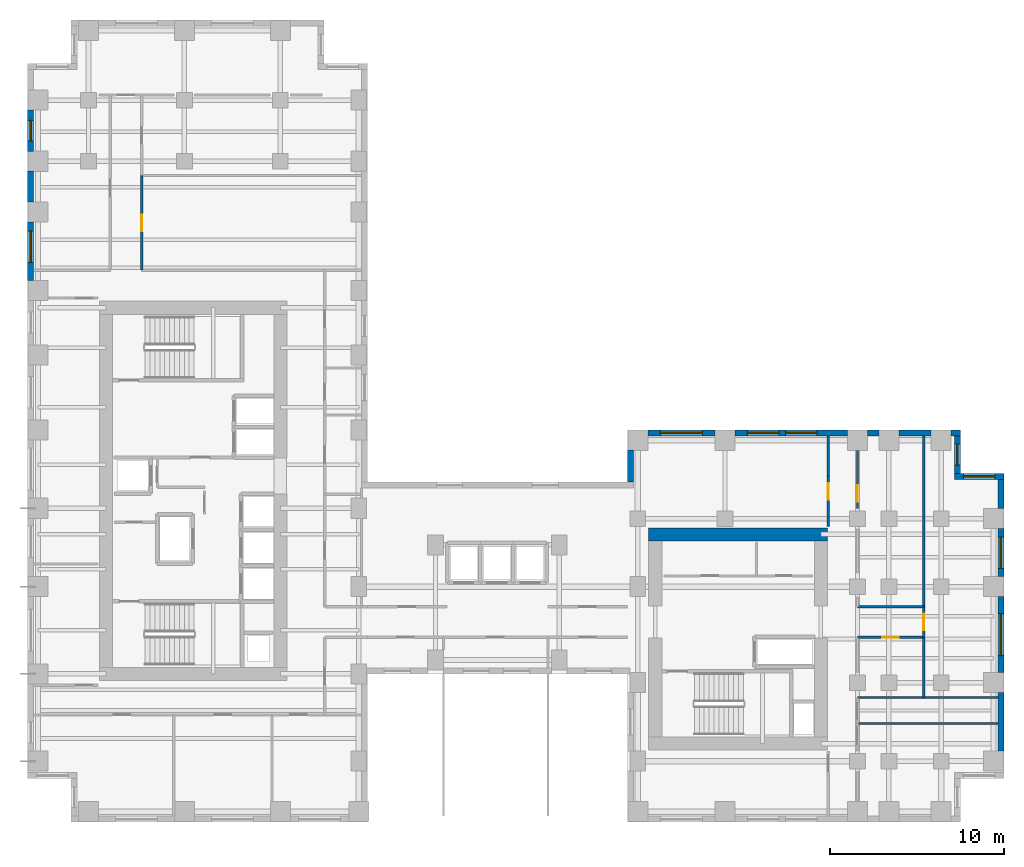
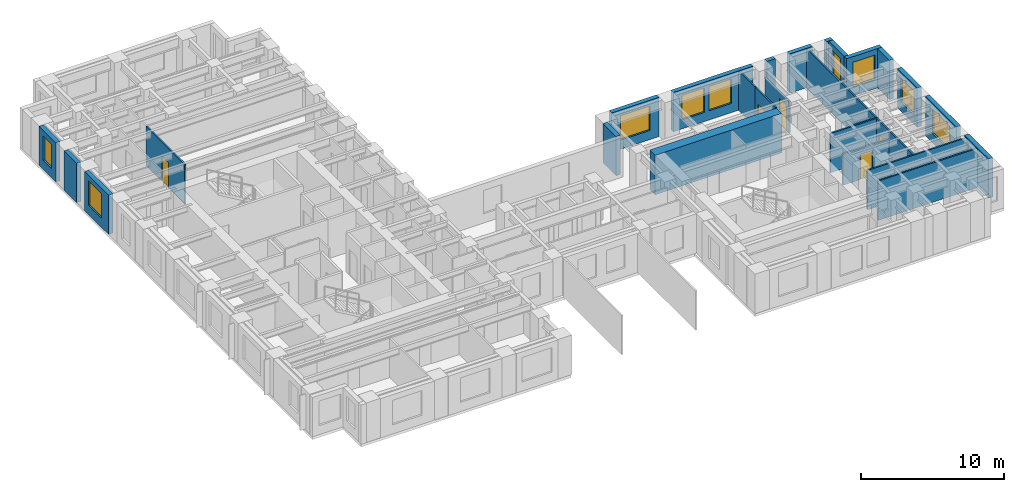
# One storey, part 8 of 11: 27 walls, 9 windows, 5 doors, 14 openings.
"""IFC4 building model written with IfcOpenShell, lengths in metres."""

from ifc_helpers import new_model, si_unit, direction, frame, frame_2d, origin, place, context, subcontext, project, spatial, rectangle, extrude, source, transform, mapped, material, layer, layer_set, type_object, element, fill, save


model = new_model("IFC4")

# Units and contexts
model_context = context("Model", 3, precision=1e-05, world=origin(), true_north=direction((0.0, 1.0)))
body_context = subcontext(model_context, "Body", "Model", "MODEL_VIEW")
ifc_project = project(units=[si_unit("LENGTHUNIT", "METRE"), si_unit("AREAUNIT", "SQUARE_METRE"), si_unit("VOLUMEUNIT", "CUBIC_METRE"), si_unit("PLANEANGLEUNIT", "RADIAN"), si_unit("MASSUNIT", "GRAM", prefix="KILO")], contexts=[model_context])

# Site, building, storey
site_placement = place(None, origin())
site = spatial("IfcSite", under=ifc_project, at=site_placement, CompositionType="ELEMENT")
building_placement = place(site_placement, origin())
building = spatial("IfcBuilding", under=site, at=building_placement, Name="Kharzan Plaza Tower", CompositionType="ELEMENT")
storey_placement = place(building_placement, frame((0.0, 0.0, 120.60009765625)))
storey = spatial("IfcBuildingStorey", under=building, at=storey_placement, Name="L32", CompositionType="ELEMENT", Elevation=120.60009765625)

# Wall, opening, window
ifc_material_1 = material(Name="Concrete C40/50", Category="concrete")
ifc_layer_1 = layer(ifc_material_1, 0.35009765625)
ifc_layer_set_1 = layer_set([ifc_layer_1], Name="Concrete C40/50")
wall_type_1 = type_object("IfcWallType", Name="WL-EXT-MAS-Z2", PredefinedType="SOLIDWALL", material=ifc_layer_set_1)
wall_1_placement = place(storey_placement, frame((0.175048828125, 40.826904296875, 0.0), z_axis=(0.0, 0.0, 1.0), x_axis=(0.0, -1.0, 0.0)))
wall_1 = element("IfcWall", 1, at=wall_1_placement, inside=storey, type_object=wall_type_1, Name="L32 Masonry-Frame Exterior Wall 17", PredefinedType="SOLIDWALL", context=body_context, shape_type="SweptSolid", body=[
    extrude(rectangle(XDim=2.35400390625, YDim=0.35009765625, at=frame_2d((1.177001953125, 0.0))), origin(), (0.0, 0.0, 1.0), 3.364990234375),
])
opening_1_placement = place(wall_1_placement, frame((0.576904296875, 0.0, 0.780029296875)))
opening_1 = element("IfcOpeningElement", 2, at=opening_1_placement, cuts=wall_1, Name="Opening W3", PredefinedType="OPENING", context=body_context, shape_type="SweptSolid", body=[
    extrude(rectangle(XDim=1.199951171875, YDim=2.10009765625, at=frame_2d((0.60009765625, 1.050048828125))), frame((0.0, 0.18505859375, 0.0), z_axis=(0.0, -1.0, 0.0), x_axis=(1.0, 0.0, 0.0)), (0.0, 0.0, 1.0), 0.3701171875),
])
ifc_material_2 = material(Name="Low-E Double Glazing", Category="glass")
window_type_1 = type_object("IfcWindowType", Name="WN-REC-1200x2100", PartitioningType="SINGLE_PANEL", PredefinedType="WINDOW", material=ifc_material_2)
shared_shape_1 = source(origin(), body_context, "Body", "SweptSolid", [
    extrude(rectangle(XDim=1.199951171875, YDim=2.10009765625, at=frame_2d((0.60009765625, 1.050048828125))), frame((0.0, 0.030029296875, 0.0), z_axis=(0.0, -1.0, 0.0), x_axis=(1.0, 0.0, 0.0)), (0.0, 0.0, 1.0), 0.06005859375),
])
window_1_placement = place(opening_1_placement, origin())
window_1 = element("IfcWindow", 3, at=window_1_placement, inside=storey, type_object=window_type_1, Name="L32 Recessed Solar-Control Window 17-1", OverallHeight=2.10009765625, OverallWidth=1.199951171875, PartitioningType="SINGLE_PANEL", PredefinedType="WINDOW", context=body_context, shape_type="MappedRepresentation", body=[
    mapped(shared_shape_1, transform((0.0, 0.0, 0.0), x_axis=(1.0, 0.0, 0.0), y_axis=(0.0, 1.0, 0.0), z_axis=(0.0, 0.0, 1.0))),
])
fill(opening_1, window_1)

wall_2_placement = place(storey_placement, frame((0.175048828125, 34.427001953125, 0.0), z_axis=(0.0, 0.0, 1.0), x_axis=(0.0, -1.0, 0.0)))
wall_2 = element("IfcWall", 4, at=wall_2_placement, inside=storey, type_object=wall_type_1, Name="L32 Masonry-Frame Exterior Wall 19", PredefinedType="SOLIDWALL", context=body_context, shape_type="SweptSolid", body=[
    extrude(rectangle(XDim=3.35400390625, YDim=0.35009765625, at=frame_2d((1.677001953125, 0.0))), origin(), (0.0, 0.0, 1.0), 3.364990234375),
])
opening_2_placement = place(wall_2_placement, frame((0.5234375, 0.0, 0.780029296875)))
opening_2 = element("IfcOpeningElement", 5, at=opening_2_placement, cuts=wall_2, Name="Opening W1", PredefinedType="OPENING", context=body_context, shape_type="SweptSolid", body=[
    extrude(rectangle(XDim=1.800048828125, YDim=2.10009765625, at=frame_2d((0.89990234375, 1.050048828125))), frame((0.0, 0.18505859375, 0.0), z_axis=(0.0, -1.0, 0.0), x_axis=(1.0, 0.0, 0.0)), (0.0, 0.0, 1.0), 0.3701171875),
])
window_type_2 = type_object("IfcWindowType", Name="WN-REC-1800x2100", PartitioningType="SINGLE_PANEL", PredefinedType="WINDOW", material=ifc_material_2)
shared_shape_2 = source(origin(), body_context, "Body", "SweptSolid", [
    extrude(rectangle(XDim=1.800048828125, YDim=2.10009765625, at=frame_2d((0.89990234375, 1.050048828125))), frame((0.0, 0.030029296875, 0.0), z_axis=(0.0, -1.0, 0.0), x_axis=(1.0, 0.0, 0.0)), (0.0, 0.0, 1.0), 0.06005859375),
])
window_2_placement = place(opening_2_placement, origin())
window_2 = element("IfcWindow", 6, at=window_2_placement, inside=storey, type_object=window_type_2, Name="L32 Recessed Solar-Control Window 19-1", OverallHeight=2.10009765625, OverallWidth=1.800048828125, PartitioningType="SINGLE_PANEL", PredefinedType="WINDOW", context=body_context, shape_type="MappedRepresentation", body=[
    mapped(shared_shape_2, transform((0.0, 0.0, 0.0), x_axis=(1.0, 0.0, 0.0), y_axis=(0.0, 1.0, 0.0), z_axis=(0.0, 0.0, 1.0))),
])
fill(opening_2, window_2)

wall_3_placement = place(storey_placement, frame((55.824951171875, 8.572998046875, 0.0), z_axis=(0.0, 0.0, 1.0), x_axis=(0.0, 1.0, 0.0)))
wall_3 = element("IfcWall", 7, at=wall_3_placement, inside=storey, type_object=wall_type_1, Name="L32 Masonry-Frame Exterior Wall 47", PredefinedType="SOLIDWALL", context=body_context, shape_type="SweptSolid", body=[
    extrude(rectangle(XDim=4.35400390625, YDim=0.35009765625, at=frame_2d((2.177001953125, 0.0))), origin(), (0.0, 0.0, 1.0), 3.364990234375),
])
opening_3_placement = place(wall_3_placement, frame((0.97705078125, 0.0, 0.780029296875)))
opening_3 = element("IfcOpeningElement", 8, at=opening_3_placement, cuts=wall_3, Name="Opening W2", PredefinedType="OPENING", context=body_context, shape_type="SweptSolid", body=[
    extrude(rectangle(XDim=2.39990234375, YDim=2.10009765625, at=frame_2d((1.199951171875, 1.050048828125))), frame((0.0, 0.18505859375, 0.0), z_axis=(0.0, -1.0, 0.0), x_axis=(1.0, 0.0, 0.0)), (0.0, 0.0, 1.0), 0.3701171875),
])
window_type_3 = type_object("IfcWindowType", Name="WN-REC-2400x2100", PartitioningType="SINGLE_PANEL", PredefinedType="WINDOW", material=ifc_material_2)
shared_shape_3 = source(origin(), body_context, "Body", "SweptSolid", [
    extrude(rectangle(XDim=2.39990234375, YDim=2.10009765625, at=frame_2d((1.199951171875, 1.050048828125))), frame((0.0, 0.030029296875, 0.0), z_axis=(0.0, -1.0, 0.0), x_axis=(1.0, 0.0, 0.0)), (0.0, 0.0, 1.0), 0.06005859375),
])
window_3_placement = place(opening_3_placement, origin())
window_3 = element("IfcWindow", 9, at=window_3_placement, inside=storey, type_object=window_type_3, Name="L32 Wide Recessed Solar-Control Window 47-1", OverallHeight=2.10009765625, OverallWidth=2.39990234375, PartitioningType="SINGLE_PANEL", PredefinedType="WINDOW", context=body_context, shape_type="MappedRepresentation", body=[
    mapped(shared_shape_3, transform((0.0, 0.0, 0.0), x_axis=(1.0, 0.0, 0.0), y_axis=(0.0, 1.0, 0.0), z_axis=(0.0, 0.0, 1.0))),
])
fill(opening_3, window_3)

wall_4_placement = place(storey_placement, frame((55.824951171875, 14.072998046875, 0.0), z_axis=(0.0, 0.0, 1.0), x_axis=(0.0, 1.0, 0.0)))
wall_4 = element("IfcWall", 10, at=wall_4_placement, inside=storey, type_object=wall_type_1, Name="L32 Masonry-Frame Exterior Wall 48", PredefinedType="SOLIDWALL", context=body_context, shape_type="SweptSolid", body=[
    extrude(rectangle(XDim=2.75390625, YDim=0.35009765625, at=frame_2d((1.376953125, 0.0))), origin(), (0.0, 0.0, 1.0), 3.364990234375),
])
opening_4_placement = place(wall_4_placement, frame((0.47705078125, 0.0, 0.780029296875)))
opening_4 = element("IfcOpeningElement", 11, at=opening_4_placement, cuts=wall_4, Name="Opening W1", PredefinedType="OPENING", context=body_context, shape_type="SweptSolid", body=[
    extrude(rectangle(XDim=1.800048828125, YDim=2.10009765625, at=frame_2d((0.89990234375, 1.050048828125))), frame((0.0, 0.18505859375, 0.0), z_axis=(0.0, -1.0, 0.0), x_axis=(1.0, 0.0, 0.0)), (0.0, 0.0, 1.0), 0.3701171875),
])
window_4_placement = place(opening_4_placement, origin())
window_4 = element("IfcWindow", 12, at=window_4_placement, inside=storey, type_object=window_type_2, Name="L32 Recessed Solar-Control Window 48-1", OverallHeight=2.10009765625, OverallWidth=1.800048828125, PartitioningType="SINGLE_PANEL", PredefinedType="WINDOW", context=body_context, shape_type="MappedRepresentation", body=[
    mapped(shared_shape_2, transform((0.0, 0.0, 0.0), x_axis=(1.0, 0.0, 0.0), y_axis=(0.0, 1.0, 0.0), z_axis=(0.0, 0.0, 1.0))),
])
fill(opening_4, window_4)

wall_5_placement = place(storey_placement, frame((56.0, 19.824951171875, 0.0), z_axis=(0.0, 0.0, 1.0), x_axis=(-1.0, 0.0, 0.0)))
wall_5 = element("IfcWall", 13, at=wall_5_placement, inside=storey, type_object=wall_type_1, Name="L32 Masonry-Frame Exterior Wall 50", PredefinedType="SOLIDWALL", context=body_context, shape_type="SweptSolid", body=[
    extrude(rectangle(XDim=2.85009765625, YDim=0.35009765625, at=frame_2d((1.425048828125, 0.0))), origin(), (0.0, 0.0, 1.0), 3.364990234375),
])
opening_5_placement = place(wall_5_placement, frame((0.52490234375, 0.0, 0.780029296875)))
opening_5 = element("IfcOpeningElement", 14, at=opening_5_placement, cuts=wall_5, Name="Opening W1", PredefinedType="OPENING", context=body_context, shape_type="SweptSolid", body=[
    extrude(rectangle(XDim=1.800048828125, YDim=2.10009765625, at=frame_2d((0.89990234375, 1.050048828125))), frame((0.0, 0.18505859375, 0.0), z_axis=(0.0, -1.0, 0.0), x_axis=(1.0, 0.0, 0.0)), (0.0, 0.0, 1.0), 0.3701171875),
])
window_5_placement = place(opening_5_placement, origin())
window_5 = element("IfcWindow", 15, at=window_5_placement, inside=storey, type_object=window_type_2, Name="L32 Recessed Solar-Control Window 50-1", OverallHeight=2.10009765625, OverallWidth=1.800048828125, PartitioningType="SINGLE_PANEL", PredefinedType="WINDOW", context=body_context, shape_type="MappedRepresentation", body=[
    mapped(shared_shape_2, transform((0.0, 0.0, 0.0), x_axis=(1.0, 0.0, 0.0), y_axis=(0.0, 1.0, 0.0), z_axis=(0.0, 0.0, 1.0))),
])
fill(opening_5, window_5)

wall_6_placement = place(storey_placement, frame((53.324951171875, 19.998046875, 0.0), z_axis=(0.0, 0.0, 1.0), x_axis=(0.0, 1.0, 0.0)))
wall_6 = element("IfcWall", 16, at=wall_6_placement, inside=storey, type_object=wall_type_1, Name="L32 Masonry-Frame Exterior Wall 51", PredefinedType="SOLIDWALL", context=body_context, shape_type="SweptSolid", body=[
    extrude(rectangle(XDim=2.154052734375, YDim=0.35009765625, at=frame_2d((1.0771484375, 0.0))), origin(), (0.0, 0.0, 1.0), 3.364990234375),
])
opening_6_placement = place(wall_6_placement, frame((0.47705078125, 0.0, 0.780029296875)))
opening_6 = element("IfcOpeningElement", 17, at=opening_6_placement, cuts=wall_6, Name="Opening W3", PredefinedType="OPENING", context=body_context, shape_type="SweptSolid", body=[
    extrude(rectangle(XDim=1.199951171875, YDim=2.10009765625, at=frame_2d((0.60009765625, 1.050048828125))), frame((0.0, 0.18505859375, 0.0), z_axis=(0.0, -1.0, 0.0), x_axis=(1.0, 0.0, 0.0)), (0.0, 0.0, 1.0), 0.3701171875),
])
window_6_placement = place(opening_6_placement, origin())
window_6 = element("IfcWindow", 18, at=window_6_placement, inside=storey, type_object=window_type_1, Name="L32 Recessed Solar-Control Window 51-1", OverallHeight=2.10009765625, OverallWidth=1.199951171875, PartitioningType="SINGLE_PANEL", PredefinedType="WINDOW", context=body_context, shape_type="MappedRepresentation", body=[
    mapped(shared_shape_1, transform((0.0, 0.0, 0.0), x_axis=(1.0, 0.0, 0.0), y_axis=(0.0, 1.0, 0.0), z_axis=(0.0, 0.0, 1.0))),
])
fill(opening_6, window_6)

# Wall, openings, windows
wall_7_placement = place(storey_placement, frame((47.027099609375, 22.324951171875, 0.0), z_axis=(0.0, 0.0, 1.0), x_axis=(-1.0, 0.0, 0.0)))
wall_7 = element("IfcWall", 19, at=wall_7_placement, inside=storey, type_object=wall_type_1, Name="L32 Masonry-Frame Exterior Wall 55", PredefinedType="SOLIDWALL", context=body_context, shape_type="SweptSolid", body=[
    extrude(rectangle(XDim=6.4541015625, YDim=0.35009765625, at=frame_2d((3.22705078125, 0.0))), origin(), (0.0, 0.0, 1.0), 3.364990234375),
])
opening_7_placement = place(wall_7_placement, frame((1.749267578125, 0.0, 0.780029296875)))
opening_7 = element("IfcOpeningElement", 20, at=opening_7_placement, cuts=wall_7, Name="Opening W1", PredefinedType="OPENING", context=body_context, shape_type="SweptSolid", body=[
    extrude(rectangle(XDim=1.800048828125, YDim=2.10009765625, at=frame_2d((0.89990234375, 1.050048828125))), frame((0.0, 0.18505859375, 0.0), z_axis=(0.0, -1.0, 0.0), x_axis=(1.0, 0.0, 0.0)), (0.0, 0.0, 1.0), 0.3701171875),
])
opening_8_placement = place(wall_7_placement, frame((3.941650390625, 0.0, 0.780029296875)))
opening_8 = element("IfcOpeningElement", 21, at=opening_8_placement, cuts=wall_7, Name="Opening W1", PredefinedType="OPENING", context=body_context, shape_type="SweptSolid", body=[
    extrude(rectangle(XDim=1.800048828125, YDim=2.10009765625, at=frame_2d((0.89990234375, 1.050048828125))), frame((0.0, 0.18505859375, 0.0), z_axis=(0.0, -1.0, 0.0), x_axis=(1.0, 0.0, 0.0)), (0.0, 0.0, 1.0), 0.3701171875),
])
window_7_placement = place(opening_7_placement, origin())
window_7 = element("IfcWindow", 22, at=window_7_placement, inside=storey, type_object=window_type_2, Name="L32 Recessed Solar-Control Window 55-1", OverallHeight=2.10009765625, OverallWidth=1.800048828125, PartitioningType="SINGLE_PANEL", PredefinedType="WINDOW", context=body_context, shape_type="MappedRepresentation", body=[
    mapped(shared_shape_2, transform((0.0, 0.0, 0.0), x_axis=(1.0, 0.0, 0.0), y_axis=(0.0, 1.0, 0.0), z_axis=(0.0, 0.0, 1.0))),
])
fill(opening_7, window_7)
window_8_placement = place(opening_8_placement, origin())
window_8 = element("IfcWindow", 23, at=window_8_placement, inside=storey, type_object=window_type_2, Name="L32 Recessed Solar-Control Window 55-2", OverallHeight=2.10009765625, OverallWidth=1.800048828125, PartitioningType="SINGLE_PANEL", PredefinedType="WINDOW", context=body_context, shape_type="MappedRepresentation", body=[
    mapped(shared_shape_2, transform((0.0, 0.0, 0.0), x_axis=(1.0, 0.0, 0.0), y_axis=(0.0, 1.0, 0.0), z_axis=(0.0, 0.0, 1.0))),
])
fill(opening_8, window_8)

# Wall, opening, window
wall_8_placement = place(storey_placement, frame((39.427001953125, 22.324951171875, 0.0), z_axis=(0.0, 0.0, 1.0), x_axis=(-1.0, 0.0, 0.0)))
wall_8 = element("IfcWall", 24, at=wall_8_placement, inside=storey, type_object=wall_type_1, Name="L32 Masonry-Frame Exterior Wall 56", PredefinedType="SOLIDWALL", context=body_context, shape_type="SweptSolid", body=[
    extrude(rectangle(XDim=3.85400390625, YDim=0.35009765625, at=frame_2d((1.927001953125, 0.0))), origin(), (0.0, 0.0, 1.0), 3.364990234375),
])
opening_9_placement = place(wall_8_placement, frame((0.72705078125, 0.0, 0.780029296875)))
opening_9 = element("IfcOpeningElement", 25, at=opening_9_placement, cuts=wall_8, Name="Opening W2", PredefinedType="OPENING", context=body_context, shape_type="SweptSolid", body=[
    extrude(rectangle(XDim=2.39990234375, YDim=2.10009765625, at=frame_2d((1.199951171875, 1.050048828125))), frame((0.0, 0.18505859375, 0.0), z_axis=(0.0, -1.0, 0.0), x_axis=(1.0, 0.0, 0.0)), (0.0, 0.0, 1.0), 0.3701171875),
])
window_9_placement = place(opening_9_placement, origin())
window_9 = element("IfcWindow", 26, at=window_9_placement, inside=storey, type_object=window_type_3, Name="L32 Wide Recessed Solar-Control Window 56-1", OverallHeight=2.10009765625, OverallWidth=2.39990234375, PartitioningType="SINGLE_PANEL", PredefinedType="WINDOW", context=body_context, shape_type="MappedRepresentation", body=[
    mapped(shared_shape_3, transform((0.0, 0.0, 0.0), x_axis=(1.0, 0.0, 0.0), y_axis=(0.0, 1.0, 0.0), z_axis=(0.0, 0.0, 1.0))),
])
fill(opening_9, window_9)

# Wall, opening, door
ifc_material_3 = material(Name="Fire-Rated Gypsum Board Partition", Category="gypsum")
ifc_layer_2 = layer(ifc_material_3, 0.125)
ifc_layer_set_2 = layer_set([ifc_layer_2], Name="Fire-Rated Gypsum Board Partition")
wall_type_2 = type_object("IfcWallType", Name="WL-INT-PART-125", PredefinedType="PARTITIONING", material=ifc_layer_set_2)
wall_9_placement = place(storey_placement, frame((51.39990234375, 10.60009765625, 0.0), z_axis=(0.0, 0.0, 1.0), x_axis=(0.0, 1.0, 0.0)))
wall_9 = element("IfcWall", 27, at=wall_9_placement, inside=storey, type_object=wall_type_2, Name="L32 Interior Partition SH-B2E2", PredefinedType="PARTITIONING", context=body_context, shape_type="SweptSolid", body=[
    extrude(rectangle(XDim=1.75, YDim=0.125, at=frame_2d((0.875, 0.0))), origin(), (0.0, 0.0, 1.0), 3.364990234375),
])
opening_10_placement = place(wall_9_placement, frame((0.39990234375, 0.0, 0.0)))
opening_10 = element("IfcOpeningElement", 28, at=opening_10_placement, cuts=wall_9, Name="Opening OD1", PredefinedType="OPENING", context=body_context, shape_type="SweptSolid", body=[
    extrude(rectangle(XDim=0.949951171875, YDim=2.14990234375, at=frame_2d((0.47509765625, 1.074951171875))), frame((0.0, 0.072509765625, 0.0), z_axis=(0.0, -1.0, 0.0), x_axis=(1.0, 0.0, 0.0)), (0.0, 0.0, 1.0), 0.14501953125),
])
ifc_material_4 = material(Name="Acoustic Solid-Core Stained Oak", Category="timber")
door_type = type_object("IfcDoorType", Name="DR-OFF-SINGLE", OperationType="NOTDEFINED", PredefinedType="DOOR", material=ifc_material_4)
shared_shape_4 = source(origin(), body_context, "Body", "SweptSolid", [
    extrude(rectangle(XDim=0.949951171875, YDim=2.14990234375, at=frame_2d((0.47509765625, 1.074951171875))), frame((0.0, 0.02490234375, 0.0), z_axis=(0.0, -1.0, 0.0), x_axis=(1.0, 0.0, 0.0)), (0.0, 0.0, 1.0), 0.050048828125),
])
door_1_placement = place(opening_10_placement, origin())
door_1 = element("IfcDoor", 29, at=door_1_placement, inside=storey, type_object=door_type, Name="L32 East Boardroom Door", OperationType="SINGLE_SWING_RIGHT", OverallHeight=2.14990234375, OverallWidth=0.949951171875, PredefinedType="DOOR", context=body_context, shape_type="MappedRepresentation", body=[
    mapped(shared_shape_4, transform((0.0, 0.0, 0.0), x_axis=(1.0, 0.0, 0.0), y_axis=(0.0, 1.0, 0.0), z_axis=(0.0, 0.0, 1.0))),
])
fill(opening_10, door_1)

wall_10_placement = place(storey_placement, frame((47.60009765625, 10.60009765625, 0.0), z_axis=(0.0, 0.0, 1.0), x_axis=(1.0, 0.0, 0.0)))
wall_10 = element("IfcWall", 30, at=wall_10_placement, inside=storey, type_object=wall_type_2, Name="L32 Interior Partition SH-B2S1", PredefinedType="PARTITIONING", context=body_context, shape_type="SweptSolid", body=[
    extrude(rectangle(XDim=3.7998046875, YDim=0.125, at=frame_2d((1.89990234375, 0.0))), origin(), (0.0, 0.0, 1.0), 2.677001953125),
])
opening_11_placement = place(wall_10_placement, frame((1.425048828125, 0.0, 0.0)))
opening_11 = element("IfcOpeningElement", 31, at=opening_11_placement, cuts=wall_10, Name="Opening OD1", PredefinedType="OPENING", context=body_context, shape_type="SweptSolid", body=[
    extrude(rectangle(XDim=0.949951171875, YDim=2.14990234375, at=frame_2d((0.47509765625, 1.074951171875))), frame((0.0, 0.072509765625, 0.0), z_axis=(0.0, -1.0, 0.0), x_axis=(1.0, 0.0, 0.0)), (0.0, 0.0, 1.0), 0.14501953125),
])
door_2_placement = place(opening_11_placement, origin())
door_2 = element("IfcDoor", 32, at=door_2_placement, inside=storey, type_object=door_type, Name="L32 Spur South Office Door", OperationType="SINGLE_SWING_LEFT", OverallHeight=2.14990234375, OverallWidth=0.949951171875, PredefinedType="DOOR", context=body_context, shape_type="MappedRepresentation", body=[
    mapped(shared_shape_4, transform((0.0, 0.0, 0.0), x_axis=(1.0, 0.0, 0.0), y_axis=(0.0, 1.0, 0.0), z_axis=(0.0, 0.0, 1.0))),
])
fill(opening_11, door_2)

wall_11_placement = place(storey_placement, frame((47.60009765625, 17.989990234375, 0.0), z_axis=(0.0, 0.0, 1.0), x_axis=(0.0, 1.0, 0.0)))
wall_11 = element("IfcWall", 33, at=wall_11_placement, inside=storey, type_object=wall_type_2, Name="L32 Interior Partition SH-B2W3D-S2", PredefinedType="PARTITIONING", context=body_context, shape_type="SweptSolid", body=[
    extrude(rectangle(XDim=3.320068359375, YDim=0.125, at=frame_2d((1.66015625, 0.0))), origin(), (0.0, 0.0, 1.0), 2.677001953125),
])
opening_12_placement = place(wall_11_placement, frame((0.381103515625, 0.0, 0.0)))
opening_12 = element("IfcOpeningElement", 34, at=opening_12_placement, cuts=wall_11, Name="Opening OD1", PredefinedType="OPENING", context=body_context, shape_type="SweptSolid", body=[
    extrude(rectangle(XDim=0.949951171875, YDim=2.14990234375, at=frame_2d((0.47509765625, 1.074951171875))), frame((0.0, 0.072509765625, 0.0), z_axis=(0.0, -1.0, 0.0), x_axis=(1.0, 0.0, 0.0)), (0.0, 0.0, 1.0), 0.14501953125),
])
door_3_placement = place(opening_12_placement, origin())
door_3 = element("IfcDoor", 35, at=door_3_placement, inside=storey, type_object=door_type, Name="L32 Spur North Office Door", OperationType="SINGLE_SWING_RIGHT", OverallHeight=2.14990234375, OverallWidth=0.949951171875, PredefinedType="DOOR", context=body_context, shape_type="MappedRepresentation", body=[
    mapped(shared_shape_4, transform((0.0, 0.0, 0.0), x_axis=(1.0, 0.0, 0.0), y_axis=(0.0, 1.0, 0.0), z_axis=(0.0, 0.0, 1.0))),
])
fill(opening_12, door_3)

wall_12_placement = place(storey_placement, frame((45.919921875, 16.949951171875, 0.0), z_axis=(0.0, 0.0, 1.0), x_axis=(0.0, 1.0, 0.0)))
wall_12 = element("IfcWall", 36, at=wall_12_placement, inside=storey, type_object=wall_type_2, Name="L32 Interior Partition SH-RBNE", PredefinedType="PARTITIONING", context=body_context, shape_type="SweptSolid", body=[
    extrude(rectangle(XDim=2.900146484375, YDim=0.125, at=frame_2d((1.4501953125, 0.0))), origin(), (0.0, 0.0, 1.0), 3.364990234375),
])
opening_13_placement = place(wall_12_placement, frame((1.54296875, 0.0, 0.0)))
opening_13 = element("IfcOpeningElement", 37, at=opening_13_placement, cuts=wall_12, Name="Opening OD1", PredefinedType="OPENING", context=body_context, shape_type="SweptSolid", body=[
    extrude(rectangle(XDim=0.949951171875, YDim=2.14990234375, at=frame_2d((0.47509765625, 1.074951171875))), frame((0.0, 0.072509765625, 0.0), z_axis=(0.0, -1.0, 0.0), x_axis=(1.0, 0.0, 0.0)), (0.0, 0.0, 1.0), 0.14501953125),
])
door_4_placement = place(opening_13_placement, origin())
door_4 = element("IfcDoor", 38, at=door_4_placement, inside=storey, type_object=door_type, Name="L32 Wing B North Studio Door", OperationType="SINGLE_SWING_RIGHT", OverallHeight=2.14990234375, OverallWidth=0.949951171875, PredefinedType="DOOR", context=body_context, shape_type="MappedRepresentation", body=[
    mapped(shared_shape_4, transform((0.0, 0.0, 0.0), x_axis=(1.0, 0.0, 0.0), y_axis=(0.0, 1.0, 0.0), z_axis=(0.0, 0.0, 1.0))),
])
fill(opening_13, door_4)

wall_13_placement = place(storey_placement, frame((6.550048828125, 31.64990234375, 0.0), z_axis=(0.0, 0.0, 1.0), x_axis=(0.0, 1.0, 0.0)))
wall_13 = element("IfcWall", 39, at=wall_13_placement, inside=storey, type_object=wall_type_2, Name="L32 Interior Partition SH-SPE-1", PredefinedType="PARTITIONING", context=body_context, shape_type="SweptSolid", body=[
    extrude(rectangle(XDim=5.427001953125, YDim=0.125, at=frame_2d((2.71337890625, 0.0))), origin(), (0.0, 0.0, 1.0), 3.364990234375),
])
opening_14_placement = place(wall_13_placement, frame((2.238525390625, 0.0, 0.0)))
opening_14 = element("IfcOpeningElement", 40, at=opening_14_placement, cuts=wall_13, Name="Opening OD1", PredefinedType="OPENING", context=body_context, shape_type="SweptSolid", body=[
    extrude(rectangle(XDim=0.949951171875, YDim=2.14990234375, at=frame_2d((0.47509765625, 1.074951171875))), frame((0.0, 0.072509765625, 0.0), z_axis=(0.0, -1.0, 0.0), x_axis=(1.0, 0.0, 0.0)), (0.0, 0.0, 1.0), 0.14501953125),
])
door_5_placement = place(opening_14_placement, origin())
door_5 = element("IfcDoor", 41, at=door_5_placement, inside=storey, type_object=door_type, Name="L32 Materials Testing Lab Door", OperationType="SINGLE_SWING_RIGHT", OverallHeight=2.14990234375, OverallWidth=0.949951171875, PredefinedType="DOOR", context=body_context, shape_type="MappedRepresentation", body=[
    mapped(shared_shape_4, transform((0.0, 0.0, 0.0), x_axis=(1.0, 0.0, 0.0), y_axis=(0.0, 1.0, 0.0), z_axis=(0.0, 0.0, 1.0))),
])
fill(opening_14, door_5)

# Walls
shared_shape_5 = source(origin(), body_context, "Body", "SweptSolid", [
    extrude(rectangle(XDim=2.2978515625, YDim=0.125, at=frame_2d((1.14892578125, 0.0))), origin(), (0.0, 0.0, 1.0), 3.364990234375),
])
wall_14_placement = place(storey_placement, frame((45.919921875, 19.85009765625, 0.0), z_axis=(0.0, 0.0, 1.0), x_axis=(0.0, 1.0, 0.0)))
element("IfcWall", 42, at=wall_14_placement, inside=storey, type_object=wall_type_2, Name="L32 Interior Partition SH-RBNE0", PredefinedType="PARTITIONING", context=body_context, shape_type="MappedRepresentation", body=[
    mapped(shared_shape_5, transform((0.0, 0.0, 0.0), x_axis=(1.0, 0.0, 0.0), y_axis=(0.0, 1.0, 0.0), z_axis=(0.0, 0.0, 1.0))),
])
shared_shape_6 = source(origin(), body_context, "Body", "SweptSolid", [
    extrude(rectangle(XDim=3.7998046875, YDim=0.125, at=frame_2d((1.89990234375, 0.0))), origin(), (0.0, 0.0, 1.0), 3.364990234375),
])
wall_15_placement = place(storey_placement, frame((47.60009765625, 12.35009765625, 0.0), z_axis=(0.0, 0.0, 1.0), x_axis=(1.0, 0.0, 0.0)))
element("IfcWall", 43, at=wall_15_placement, inside=storey, type_object=wall_type_2, Name="L32 Interior Partition SH-B2N3", PredefinedType="PARTITIONING", context=body_context, shape_type="MappedRepresentation", body=[
    mapped(shared_shape_6, transform((0.0, 0.0, 0.0), x_axis=(1.0, 0.0, 0.0), y_axis=(0.0, 1.0, 0.0), z_axis=(0.0, 0.0, 1.0))),
])
shared_shape_7 = source(origin(), body_context, "Body", "SweptSolid", [
    extrude(rectangle(XDim=3.4501953125, YDim=0.125, at=frame_2d((1.72509765625, 0.0))), origin(), (0.0, 0.0, 1.0), 3.364990234375),
])
wall_16_placement = place(storey_placement, frame((51.39990234375, 7.14990234375, 0.0), z_axis=(0.0, 0.0, 1.0), x_axis=(0.0, 1.0, 0.0)))
element("IfcWall", 44, at=wall_16_placement, inside=storey, type_object=wall_type_2, Name="L32 Interior Partition SH-B2V1", PredefinedType="PARTITIONING", context=body_context, shape_type="MappedRepresentation", body=[
    mapped(shared_shape_7, transform((0.0, 0.0, 0.0), x_axis=(1.0, 0.0, 0.0), y_axis=(0.0, 1.0, 0.0), z_axis=(0.0, 0.0, 1.0))),
])
shared_shape_8 = source(origin(), body_context, "Body", "SweptSolid", [
    extrude(rectangle(XDim=9.789794921875, YDim=0.125, at=frame_2d((4.89501953125, 0.0))), origin(), (0.0, 0.0, 1.0), 3.364990234375),
])
wall_17_placement = place(storey_placement, frame((51.39990234375, 12.35009765625, 0.0), z_axis=(0.0, 0.0, 1.0), x_axis=(0.0, 1.0, 0.0)))
element("IfcWall", 45, at=wall_17_placement, inside=storey, type_object=wall_type_2, Name="L32 Interior Partition SH-B2V2", PredefinedType="PARTITIONING", context=body_context, shape_type="MappedRepresentation", body=[
    mapped(shared_shape_8, transform((0.0, 0.0, 0.0), x_axis=(1.0, 0.0, 0.0), y_axis=(0.0, 1.0, 0.0), z_axis=(0.0, 0.0, 1.0))),
])
shared_shape_9 = source(origin(), body_context, "Body", "SweptSolid", [
    extrude(rectangle(XDim=1.75390625, YDim=0.35009765625, at=frame_2d((0.876953125, 0.0))), origin(), (0.0, 0.0, 1.0), 3.364990234375),
])
wall_18_placement = place(storey_placement, frame((0.175048828125, 37.326904296875, 0.0), z_axis=(0.0, 0.0, 1.0), x_axis=(0.0, -1.0, 0.0)))
element("IfcWall", 46, at=wall_18_placement, inside=storey, type_object=wall_type_1, Name="L32 Masonry-Frame Exterior Wall 18", PredefinedType="SOLIDWALL", context=body_context, shape_type="MappedRepresentation", body=[
    mapped(shared_shape_9, transform((0.0, 0.0, 0.0), x_axis=(1.0, 0.0, 0.0), y_axis=(0.0, 1.0, 0.0), z_axis=(0.0, 0.0, 1.0))),
])
shared_shape_10 = source(origin(), body_context, "Body", "SweptSolid", [
    extrude(rectangle(XDim=0.65380859375, YDim=0.35009765625, at=frame_2d((0.326904296875, 0.0))), origin(), (0.0, 0.0, 1.0), 3.364990234375),
])
wall_19_placement = place(storey_placement, frame((48.826904296875, 22.324951171875, 0.0), z_axis=(0.0, 0.0, 1.0), x_axis=(-1.0, 0.0, 0.0)))
element("IfcWall", 47, at=wall_19_placement, inside=storey, type_object=wall_type_1, Name="L32 Masonry-Frame Exterior Wall 54", PredefinedType="SOLIDWALL", context=body_context, shape_type="MappedRepresentation", body=[
    mapped(shared_shape_10, transform((0.0, 0.0, 0.0), x_axis=(1.0, 0.0, 0.0), y_axis=(0.0, 1.0, 0.0), z_axis=(0.0, 0.0, 1.0))),
])
shared_shape_11 = source(origin(), body_context, "Body", "SweptSolid", [
    extrude(rectangle(XDim=1.85400390625, YDim=0.35009765625, at=frame_2d((0.927001953125, 0.0))), origin(), (0.0, 0.0, 1.0), 3.364990234375),
])
wall_20_placement = place(storey_placement, frame((51.826904296875, 22.324951171875, 0.0), z_axis=(0.0, 0.0, 1.0), x_axis=(-1.0, 0.0, 0.0)))
element("IfcWall", 48, at=wall_20_placement, inside=storey, type_object=wall_type_1, Name="L32 Masonry-Frame Exterior Wall 53", PredefinedType="SOLIDWALL", context=body_context, shape_type="MappedRepresentation", body=[
    mapped(shared_shape_11, transform((0.0, 0.0, 0.0), x_axis=(1.0, 0.0, 0.0), y_axis=(0.0, 1.0, 0.0), z_axis=(0.0, 0.0, 1.0))),
])
shared_shape_12 = source(origin(), body_context, "Body", "SweptSolid", [
    extrude(rectangle(XDim=0.527099609375, YDim=0.35009765625, at=frame_2d((0.263671875, 0.0))), origin(), (0.0, 0.0, 1.0), 3.364990234375),
])
wall_21_placement = place(storey_placement, frame((53.5, 22.324951171875, 0.0), z_axis=(0.0, 0.0, 1.0), x_axis=(-1.0, 0.0, 0.0)))
element("IfcWall", 49, at=wall_21_placement, inside=storey, type_object=wall_type_1, Name="L32 Masonry-Frame Exterior Wall 52", PredefinedType="SOLIDWALL", context=body_context, shape_type="MappedRepresentation", body=[
    mapped(shared_shape_12, transform((0.0, 0.0, 0.0), x_axis=(1.0, 0.0, 0.0), y_axis=(0.0, 1.0, 0.0), z_axis=(0.0, 0.0, 1.0))),
])
shared_shape_13 = source(origin(), body_context, "Body", "SweptSolid", [
    extrude(rectangle(XDim=3.35400390625, YDim=0.35009765625, at=frame_2d((1.677001953125, 0.0))), origin(), (0.0, 0.0, 1.0), 3.364990234375),
])
wall_22_placement = place(storey_placement, frame((55.824951171875, 4.072998046875, 0.0), z_axis=(0.0, 0.0, 1.0), x_axis=(0.0, 1.0, 0.0)))
element("IfcWall", 50, at=wall_22_placement, inside=storey, type_object=wall_type_1, Name="L32 Masonry-Frame Exterior Wall 46", PredefinedType="SOLIDWALL", context=body_context, shape_type="MappedRepresentation", body=[
    mapped(shared_shape_13, transform((0.0, 0.0, 0.0), x_axis=(1.0, 0.0, 0.0), y_axis=(0.0, 1.0, 0.0), z_axis=(0.0, 0.0, 1.0))),
])
shared_shape_14 = source(origin(), body_context, "Body", "SweptSolid", [
    extrude(rectangle(XDim=1.67919921875, YDim=0.35009765625, at=frame_2d((0.839599609375, 0.0))), origin(), (0.0, 0.0, 1.0), 3.364990234375),
])
wall_23_placement = place(storey_placement, frame((55.824951171875, 17.972900390625, 0.0), z_axis=(0.0, 0.0, 1.0), x_axis=(0.0, 1.0, 0.0)))
element("IfcWall", 51, at=wall_23_placement, inside=storey, type_object=wall_type_1, Name="L32 Masonry-Frame Exterior Wall 49", PredefinedType="SOLIDWALL", context=body_context, shape_type="MappedRepresentation", body=[
    mapped(shared_shape_14, transform((0.0, 0.0, 0.0), x_axis=(1.0, 0.0, 0.0), y_axis=(0.0, 1.0, 0.0), z_axis=(0.0, 0.0, 1.0))),
])
shared_shape_15 = source(origin(), body_context, "Body", "SweptSolid", [
    extrude(rectangle(XDim=8.0478515625, YDim=0.125, at=frame_2d((4.02392578125, 0.0))), origin(), (0.0, 0.0, 1.0), 3.364990234375),
])
for number, where, z_axis, x_axis, name in (
    (52, (47.60009765625, 5.64990234375, 0.0), (0.0, 0.0, 1.0), (1.0, 0.0, 0.0), "L32 Interior Partition SH-B2H1"),
    (53, (47.60009765625, 7.14990234375, 0.0), (0.0, 0.0, 1.0), (1.0, 0.0, 0.0), "L32 Interior Partition SH-B2H2"),
):
    element("IfcWall", number, at=place(storey_placement, frame(where, z_axis=z_axis, x_axis=x_axis)), inside=storey, type_object=wall_type_2, Name=name, PredefinedType="PARTITIONING", context=body_context, shape_type="MappedRepresentation", body=[
        mapped(shared_shape_15, transform((0.0, 0.0, 0.0), x_axis=(1.0, 0.0, 0.0), y_axis=(0.0, 1.0, 0.0), z_axis=(0.0, 0.0, 1.0))),
    ])
ifc_material_5 = material(Name="Concrete C60/75", Category="concrete")
ifc_layer_3 = layer(ifc_material_5, 0.75)
ifc_layer_set_3 = layer_set([ifc_layer_3], Name="Concrete C60/75")
wall_type_3 = type_object("IfcWallType", Name="WL-CORE-750", PredefinedType="SHEAR", material=ifc_layer_set_3)
shared_shape_16 = source(origin(), body_context, "Body", "SweptSolid", [
    extrude(rectangle(XDim=10.25, YDim=0.75, at=frame_2d((5.125, 0.0))), origin(), (0.0, 0.0, 1.0), 3.3798828125),
])
wall_24_placement = place(storey_placement, frame((35.625, 16.5, 0.0), z_axis=(0.0, 0.0, 1.0), x_axis=(1.0, 0.0, 0.0)))
element("IfcWall", 54, at=wall_24_placement, inside=storey, type_object=wall_type_3, Name="L32 CORE-B north RC shear wall", PredefinedType="SHEAR", context=body_context, shape_type="MappedRepresentation", body=[
    mapped(shared_shape_16, transform((0.0, 0.0, 0.0), x_axis=(1.0, 0.0, 0.0), y_axis=(0.0, 1.0, 0.0), z_axis=(0.0, 0.0, 1.0))),
])
shared_shape_17 = source(origin(), body_context, "Body", "SweptSolid", [
    extrude(rectangle(XDim=1.828857421875, YDim=0.35009765625, at=frame_2d((0.91455078125, 0.0))), origin(), (0.0, 0.0, 1.0), 3.364990234375),
])
wall_25_placement = place(storey_placement, frame((34.574951171875, 21.326904296875, 0.0), z_axis=(0.0, 0.0, 1.0), x_axis=(0.0, -1.0, 0.0)))
element("IfcWall", 55, at=wall_25_placement, inside=storey, type_object=wall_type_1, Name="L32 Masonry-Frame Exterior Wall 57", PredefinedType="SOLIDWALL", context=body_context, shape_type="MappedRepresentation", body=[
    mapped(shared_shape_17, transform((0.0, 0.0, 0.0), x_axis=(1.0, 0.0, 0.0), y_axis=(0.0, 1.0, 0.0), z_axis=(0.0, 0.0, 1.0))),
])

save(model, "model.ifc")
